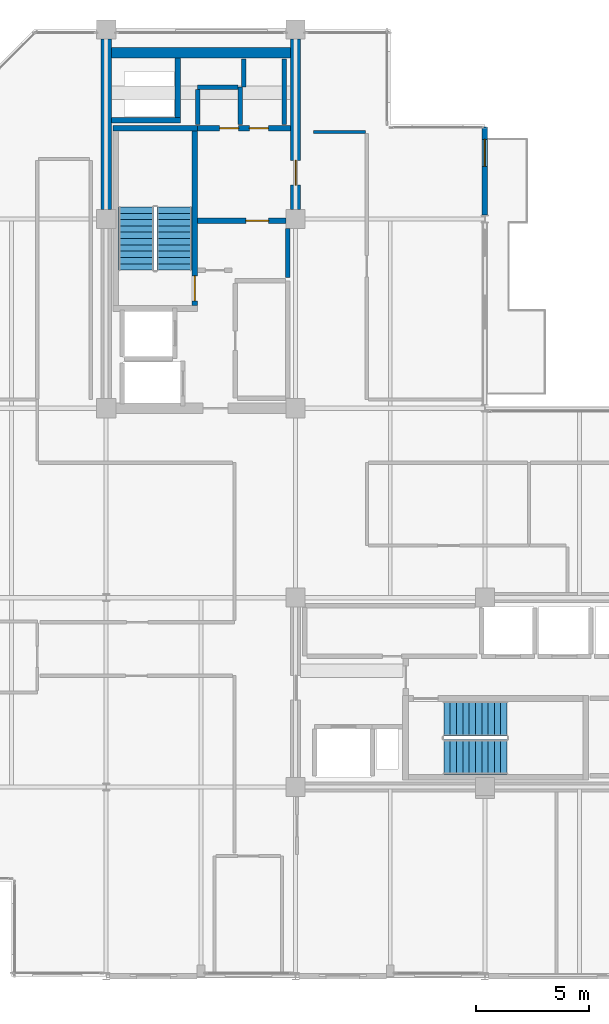
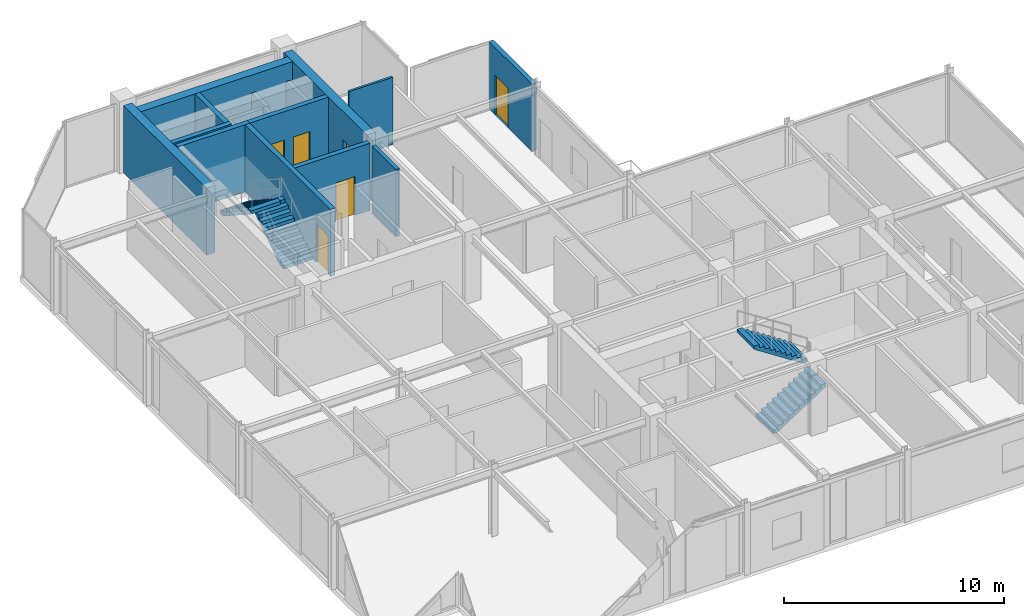
# One storey, part 23 of 26: 17 walls, 6 doors, 4 stair flights, 6 openings, 2 elements without a shape of their own.
"""IFC4 building model written with IfcOpenShell, lengths in metres."""

from ifc_helpers import new_model, si_unit, direction, frame, frame_2d, origin, place, context, subcontext, project, spatial, polyline, rectangle, outline, extrude, material, layer, layer_set, type_object, element, fill, aggregate, save


model = new_model("IFC4")

# Units and contexts
model_context = context("Model", 3, precision=1e-05, world=origin(), true_north=direction((0.0, 1.0)))
body_context = subcontext(model_context, "Body", "Model", "MODEL_VIEW")
ifc_project = project(units=[si_unit("LENGTHUNIT", "METRE"), si_unit("AREAUNIT", "SQUARE_METRE"), si_unit("VOLUMEUNIT", "CUBIC_METRE"), si_unit("PLANEANGLEUNIT", "RADIAN"), si_unit("MASSUNIT", "GRAM", prefix="KILO")], contexts=[model_context])

# Site, building, storey
site_placement = place(None, origin())
site = spatial("IfcSite", under=ifc_project, at=site_placement, CompositionType="ELEMENT")
building_placement = place(site_placement, origin())
building = spatial("IfcBuilding", under=site, at=building_placement, Name="Nerrivon Quay Data Exchange", CompositionType="ELEMENT")
storey_placement = place(building_placement, frame((0.0, 0.0, 270.199951171875)))
storey = spatial("IfcBuildingStorey", under=building, at=storey_placement, Name="L64", CompositionType="ELEMENT", Elevation=270.199951171875)

# Wall, opening, door
ifc_material_1 = material(Name="Architectural terracotta precast concrete N50 (50 MPa)", Category="masonry")
ifc_layer_1 = layer(ifc_material_1, 0.239990234375)
ifc_layer_set_1 = layer_set([ifc_layer_1], Name="Architectural terracotta precast concrete N50 (50 MPa)")
wall_type_1 = type_object("IfcWallType", Name="EW-PREC-240", PredefinedType="STANDARD", material=ifc_layer_set_1)
wall_1_placement = place(storey_placement, frame((25.199951171875, 37.679931640625, 0.0), z_axis=(0.0, 0.0, 1.0), x_axis=(0.0, -1.0, 0.0)))
wall_1 = element("IfcWall", 1, at=wall_1_placement, inside=storey, type_object=wall_type_1, Name="L64 Terrace Host Wall 22", PredefinedType="STANDARD", context=body_context, shape_type="SweptSolid", body=[
    extrude(rectangle(XDim=3.91650390625, YDim=0.239990234375, at=frame_2d((1.958251953125, 0.0))), origin(), (0.0, 0.0, 1.0), 3.72509765625),
])
opening_1_placement = place(wall_1_placement, frame((0.550048828125, 0.0, 0.0)))
opening_1 = element("IfcOpeningElement", 2, at=opening_1_placement, cuts=wall_1, Name="Opening TD1", PredefinedType="OPENING", context=body_context, shape_type="SweptSolid", body=[
    extrude(rectangle(XDim=1.199951171875, YDim=2.199951171875, at=frame_2d((0.60009765625, 1.10009765625))), frame((0.0, 0.1298828125, 0.0), z_axis=(0.0, -1.0, 0.0), x_axis=(1.0, 0.0, 0.0)), (0.0, 0.0, 1.0), 0.260009765625),
])
ifc_material_2 = material(Name="Double-glazed low-E solar control glass", Category="glass")
door_type_1 = type_object("IfcDoorType", Name="DR-TERR-1200x2200", OperationType="NOTDEFINED", PredefinedType="DOOR", material=ifc_material_2)
door_1_placement = place(opening_1_placement, origin())
door_1 = element("IfcDoor", 3, at=door_1_placement, inside=storey, type_object=door_type_1, Name="L64 Outdoor Terrace Access Door 22", OperationType="SINGLE_SWING_LEFT", OverallHeight=2.199951171875, OverallWidth=1.199951171875, PredefinedType="DOOR", context=body_context, shape_type="SweptSolid", body=[
    extrude(rectangle(XDim=1.199951171875, YDim=2.199951171875, at=frame_2d((0.60009765625, 1.10009765625))), frame((0.0, 0.02490234375, 0.0), z_axis=(0.0, -1.0, 0.0), x_axis=(1.0, 0.0, 0.0)), (0.0, 0.0, 1.0), 0.050048828125),
])
fill(opening_1, door_1)

# Walls
ifc_material_3 = material(Name="Concrete N50 (50 MPa)", Category="concrete")
ifc_layer_2 = layer(ifc_material_3, 0.449951171875)
ifc_layer_set_2 = layer_set([ifc_layer_2], Name="Concrete N50 (50 MPa)")
wall_type_2 = type_object("IfcWallType", Name="WALL-CW-550", PredefinedType="SHEAR", material=ifc_layer_set_2)
wall_2_placement = place(storey_placement, frame((8.39990234375, 34.02490234375, 0.0), z_axis=(0.0, 0.0, 1.0), x_axis=(0.0, 1.0, 0.0)))
element("IfcWall", 4, at=wall_2_placement, inside=storey, type_object=wall_type_2, Name="L64 West Split-Core Shear Wall WCW-W2", PredefinedType="SHEAR", context=body_context, shape_type="SweptSolid", body=[
    extrude(rectangle(XDim=7.550048828125, YDim=0.449951171875, at=frame_2d((3.77490234375, 0.0))), origin(), (0.0, 0.0, 1.0), 3.72509765625),
])
wall_3_placement = place(storey_placement, frame((8.625, 40.97509765625, 0.0), z_axis=(0.0, 0.0, 1.0), x_axis=(1.0, 0.0, 0.0)))
element("IfcWall", 5, at=wall_3_placement, inside=storey, type_object=wall_type_2, Name="L64 West Split-Core Shear Wall WCW-N1", PredefinedType="SHEAR", context=body_context, shape_type="SweptSolid", body=[
    extrude(rectangle(XDim=7.949951171875, YDim=0.449951171875, at=frame_2d((3.97509765625, 0.0))), origin(), (0.0, 0.0, 1.0), 3.72509765625),
])

# Wall, opening, door
wall_4_placement = place(storey_placement, frame((16.800048828125, 34.02490234375, 0.0), z_axis=(0.0, 0.0, 1.0), x_axis=(0.0, 1.0, 0.0)))
wall_4 = element("IfcWall", 6, at=wall_4_placement, inside=storey, type_object=wall_type_2, Name="L64 West Split-Core Shear Wall WCW-E1", PredefinedType="SHEAR", context=body_context, shape_type="SweptSolid", body=[
    extrude(rectangle(XDim=7.550048828125, YDim=0.449951171875, at=frame_2d((3.77490234375, 0.0))), origin(), (0.0, 0.0, 1.0), 3.72509765625),
])
opening_2_placement = place(wall_4_placement, frame((1.074951171875, 0.0, 0.0)))
opening_2 = element("IfcOpeningElement", 7, at=opening_2_placement, cuts=wall_4, Name="Opening FD-120", PredefinedType="OPENING", context=body_context, shape_type="SweptSolid", body=[
    extrude(rectangle(XDim=1.10009765625, YDim=2.14990234375, at=frame_2d((0.550048828125, 1.074951171875))), frame((0.0, 0.23486328125, 0.0), z_axis=(0.0, -1.0, 0.0), x_axis=(1.0, 0.0, 0.0)), (0.0, 0.0, 1.0), 0.469970703125),
])
ifc_material_4 = material(Name="Powder-coated galvanized steel sheet", Category="steel")
door_type_2 = type_object("IfcDoorType", Name="DR-FD120-1100", OperationType="NOTDEFINED", PredefinedType="DOOR", material=ifc_material_4)
door_2_placement = place(opening_2_placement, origin())
door_2 = element("IfcDoor", 8, at=door_2_placement, inside=storey, type_object=door_type_2, Name="L64 West Core Lobby Fire Door", OperationType="SINGLE_SWING_LEFT", OverallHeight=2.14990234375, OverallWidth=1.10009765625, PredefinedType="DOOR", context=body_context, shape_type="SweptSolid", body=[
    extrude(rectangle(XDim=1.10009765625, YDim=2.14990234375, at=frame_2d((0.550048828125, 1.074951171875))), frame((0.0, 0.02490234375, 0.0), z_axis=(0.0, -1.0, 0.0), x_axis=(1.0, 0.0, 0.0)), (0.0, 0.0, 1.0), 0.050048828125),
])
fill(opening_2, door_2)

# Walls
ifc_material_5 = material(Name="Gypsum plasterboard on cold-formed framing", Category="gypsum")
ifc_layer_3 = layer(ifc_material_5, 0.199951171875)
ifc_layer_set_3 = layer_set([ifc_layer_3], Name="Gypsum plasterboard on cold-formed framing")
wall_type_3 = type_object("IfcWallType", Name="WALL-FW-200", PredefinedType="PARTITIONING", material=ifc_layer_set_3)
wall_5_placement = place(storey_placement, frame((16.449951171875, 31.0, 0.0), z_axis=(0.0, 0.0, 1.0), x_axis=(0.0, 1.0, 0.0)))
element("IfcWall", 9, at=wall_5_placement, inside=storey, type_object=wall_type_3, Name="L64 Partition Core Equipment Closet", PredefinedType="PARTITIONING", context=body_context, shape_type="SweptSolid", body=[
    extrude(rectangle(XDim=2.169921875, YDim=0.199951171875, at=frame_2d((1.0849609375, 0.0))), origin(), (0.0, 0.0, 1.0), 3.72509765625),
])
wall_6_placement = place(storey_placement, frame((14.35009765625, 37.780029296875, 0.0), z_axis=(0.0, 0.0, 1.0), x_axis=(0.0, 1.0, 0.0)))
element("IfcWall", 10, at=wall_6_placement, inside=storey, type_object=wall_type_3, Name="L64 Partition Equipment Store", PredefinedType="PARTITIONING", context=body_context, shape_type="SweptSolid", body=[
    extrude(rectangle(XDim=1.669921875, YDim=0.199951171875, at=frame_2d((0.8349609375, 0.0))), origin(), (0.0, 0.0, 1.0), 2.775146484375),
])
wall_7_placement = place(storey_placement, frame((14.24609375, 39.449951171875, 0.0), z_axis=(0.0, 0.0, 1.0), x_axis=(-1.0, 0.0, 0.0)))
element("IfcWall", 11, at=wall_7_placement, inside=storey, type_object=wall_type_3, Name="L64 Partition Equipment Store", PredefinedType="PARTITIONING", context=body_context, shape_type="SweptSolid", body=[
    extrude(rectangle(XDim=1.796142578125, YDim=0.199951171875, at=frame_2d((0.89794921875, 0.0))), origin(), (0.0, 0.0, 1.0), 2.775146484375),
])
wall_8_placement = place(storey_placement, frame((12.449951171875, 39.345947265625, 0.0), z_axis=(0.0, 0.0, 1.0), x_axis=(0.0, -1.0, 0.0)))
element("IfcWall", 12, at=wall_8_placement, inside=storey, type_object=wall_type_3, Name="L64 Partition Equipment Store", PredefinedType="PARTITIONING", context=body_context, shape_type="SweptSolid", body=[
    extrude(rectangle(XDim=1.56591796875, YDim=0.199951171875, at=frame_2d((0.782958984375, 0.0))), origin(), (0.0, 0.0, 1.0), 2.775146484375),
])
wall_9_placement = place(storey_placement, frame((16.300048828125, 37.780029296875, 0.0), z_axis=(0.0, 0.0, 1.0), x_axis=(0.0, 1.0, 0.0)))
element("IfcWall", 13, at=wall_9_placement, inside=storey, type_object=wall_type_3, Name="L64 Partition Cleaners Store", PredefinedType="PARTITIONING", context=body_context, shape_type="SweptSolid", body=[
    extrude(rectangle(XDim=2.919921875, YDim=0.199951171875, at=frame_2d((1.4599609375, 0.0))), origin(), (0.0, 0.0, 1.0), 2.775146484375),
])
wall_10_placement = place(storey_placement, frame((14.489990234375, 40.699951171875, 0.0), z_axis=(0.0, 0.0, 1.0), x_axis=(0.0, -1.0, 0.0)))
element("IfcWall", 14, at=wall_10_placement, inside=storey, type_object=wall_type_3, Name="L64 Partition Cleaners Store", PredefinedType="PARTITIONING", context=body_context, shape_type="SweptSolid", body=[
    extrude(rectangle(XDim=1.25, YDim=0.199951171875, at=frame_2d((0.625, 0.0))), origin(), (0.0, 0.0, 1.0), 2.775146484375),
])
ifc_layer_4 = layer(ifc_material_5, 0.1201171875)
ifc_layer_set_4 = layer_set([ifc_layer_4], Name="Gypsum plasterboard on cold-formed framing")
wall_type_4 = type_object("IfcWallType", Name="WALL-PT-120", PredefinedType="PARTITIONING", material=ifc_layer_set_4)
wall_11_placement = place(storey_placement, frame((17.60009765625, 37.4599609375, 0.0), z_axis=(0.0, 0.0, 1.0), x_axis=(1.0, 0.0, 0.0)))
element("IfcWall", 15, at=wall_11_placement, inside=storey, type_object=wall_type_4, Name="L64 Partition Technical Library", PredefinedType="PARTITIONING", context=body_context, shape_type="SweptSolid", body=[
    extrude(rectangle(XDim=2.2998046875, YDim=0.1201171875, at=frame_2d((1.14990234375, 0.0))), origin(), (0.0, 0.0, 1.0), 3.72509765625),
])
ifc_layer_5 = layer(ifc_material_3, 0.25)
ifc_layer_set_5 = layer_set([ifc_layer_5], Name="Concrete N50 (50 MPa)")
wall_type_5 = type_object("IfcWallType", Name="WALL-SW-250", PredefinedType="SHEAR", material=ifc_layer_set_5)
wall_12_placement = place(storey_placement, frame((12.449951171875, 37.625, 0.0), z_axis=(0.0, 0.0, 1.0), x_axis=(-1.0, 0.0, 0.0)))
element("IfcWall", 16, at=wall_12_placement, inside=storey, type_object=wall_type_5, Name="L64 ST01 Structural Stair Core Wall FAR", PredefinedType="SHEAR", context=body_context, shape_type="SweptSolid", body=[
    extrude(rectangle(XDim=3.75, YDim=0.25, at=frame_2d((1.875, 0.0))), origin(), (0.0, 0.0, 1.0), 3.72509765625),
])

# Wall, opening, door
wall_13_placement = place(storey_placement, frame((12.324951171875, 29.75, 0.0), z_axis=(0.0, 0.0, 1.0), x_axis=(0.0, 1.0, 0.0)))
wall_13 = element("IfcWall", 17, at=wall_13_placement, inside=storey, type_object=wall_type_5, Name="L64 ST01 Structural Stair Core Wall LEFT", PredefinedType="SHEAR", context=body_context, shape_type="SweptSolid", body=[
    extrude(rectangle(XDim=7.75, YDim=0.25, at=frame_2d((3.875, 0.0))), origin(), (0.0, 0.0, 1.0), 3.72509765625),
])
opening_3_placement = place(wall_13_placement, frame((0.219970703125, 0.0, 0.0)))
opening_3 = element("IfcOpeningElement", 18, at=opening_3_placement, cuts=wall_13, Name="Opening FD-120", PredefinedType="OPENING", context=body_context, shape_type="SweptSolid", body=[
    extrude(rectangle(XDim=1.10009765625, YDim=2.14990234375, at=frame_2d((0.550048828125, 1.074951171875))), frame((0.0, 0.135009765625, 0.0), z_axis=(0.0, -1.0, 0.0), x_axis=(1.0, 0.0, 0.0)), (0.0, 0.0, 1.0), 0.27001953125),
])
door_3_placement = place(opening_3_placement, origin())
door_3 = element("IfcDoor", 19, at=door_3_placement, inside=storey, type_object=door_type_2, Name="L64 Protected Stair Door ST01", OperationType="SINGLE_SWING_LEFT", OverallHeight=2.14990234375, OverallWidth=1.10009765625, PredefinedType="DOOR", context=body_context, shape_type="SweptSolid", body=[
    extrude(rectangle(XDim=1.10009765625, YDim=2.14990234375, at=frame_2d((0.550048828125, 1.074951171875))), frame((0.0, 0.02490234375, 0.0), z_axis=(0.0, -1.0, 0.0), x_axis=(1.0, 0.0, 0.0)), (0.0, 0.0, 1.0), 0.050048828125),
])
fill(opening_3, door_3)

# Walls
wall_14_placement = place(storey_placement, frame((8.625, 37.97509765625, 0.0), z_axis=(0.0, 0.0, 1.0), x_axis=(1.0, 0.0, 0.0)))
element("IfcWall", 20, at=wall_14_placement, inside=storey, type_object=wall_type_5, Name="L64 West Core MEP Riser Shaft Wall S", PredefinedType="SHEAR", context=body_context, shape_type="SweptSolid", body=[
    extrude(rectangle(XDim=3.074951171875, YDim=0.25, at=frame_2d((1.53759765625, 0.0))), origin(), (0.0, 0.0, 1.0), 3.72509765625),
])
wall_15_placement = place(storey_placement, frame((11.574951171875, 38.10009765625, 0.0), z_axis=(0.0, 0.0, 1.0), x_axis=(0.0, 1.0, 0.0)))
element("IfcWall", 21, at=wall_15_placement, inside=storey, type_object=wall_type_5, Name="L64 West Core MEP Riser Shaft Wall E", PredefinedType="SHEAR", context=body_context, shape_type="SweptSolid", body=[
    extrude(rectangle(XDim=2.64990234375, YDim=0.25, at=frame_2d((1.324951171875, 0.0))), origin(), (0.0, 0.0, 1.0), 3.72509765625),
])

# Wall, opening, door
wall_16_placement = place(storey_placement, frame((12.449951171875, 33.52001953125, 0.0), z_axis=(0.0, 0.0, 1.0), x_axis=(1.0, 0.0, 0.0)))
wall_16 = element("IfcWall", 22, at=wall_16_placement, inside=storey, type_object=wall_type_5, Name="L64 West Lobby Smoke-Stop Wall", PredefinedType="SHEAR", context=body_context, shape_type="SweptSolid", body=[
    extrude(rectangle(XDim=3.925048828125, YDim=0.25, at=frame_2d((1.96240234375, 0.0))), origin(), (0.0, 0.0, 1.0), 3.72509765625),
])
opening_4_placement = place(wall_16_placement, frame((2.14990234375, 0.0, 0.0)))
opening_4 = element("IfcOpeningElement", 23, at=opening_4_placement, cuts=wall_16, Name="Opening FD-60", PredefinedType="OPENING", context=body_context, shape_type="SweptSolid", body=[
    extrude(rectangle(XDim=1.0, YDim=2.14990234375, at=frame_2d((0.5, 1.074951171875))), frame((0.0, 0.135009765625, 0.0), z_axis=(0.0, -1.0, 0.0), x_axis=(1.0, 0.0, 0.0)), (0.0, 0.0, 1.0), 0.27001953125),
])
ifc_material_6 = material(Name="Engineered hardwood timber", Category="wood")
door_type_3 = type_object("IfcDoorType", Name="DR-FD60-1000", OperationType="NOTDEFINED", PredefinedType="DOOR", material=ifc_material_6)
door_4_placement = place(opening_4_placement, origin())
door_4 = element("IfcDoor", 24, at=door_4_placement, inside=storey, type_object=door_type_3, Name="L64 West Firefighting Lobby Fire Door", OperationType="SINGLE_SWING_LEFT", OverallHeight=2.14990234375, OverallWidth=1.0, PredefinedType="DOOR", context=body_context, shape_type="SweptSolid", body=[
    extrude(rectangle(XDim=1.0, YDim=2.14990234375, at=frame_2d((0.5, 1.074951171875))), frame((0.0, 0.02490234375, 0.0), z_axis=(0.0, -1.0, 0.0), x_axis=(1.0, 0.0, 0.0)), (0.0, 0.0, 1.0), 0.050048828125),
])
fill(opening_4, door_4)

# Wall, openings, doors
wall_17_placement = place(storey_placement, frame((12.449951171875, 37.625, 0.0), z_axis=(0.0, 0.0, 1.0), x_axis=(1.0, 0.0, 0.0)))
wall_17 = element("IfcWall", 25, at=wall_17_placement, inside=storey, type_object=wall_type_5, Name="L64 West Firefighting Lobby Wall", PredefinedType="SHEAR", context=body_context, shape_type="SweptSolid", body=[
    extrude(rectangle(XDim=4.125, YDim=0.25, at=frame_2d((2.0625, 0.0))), origin(), (0.0, 0.0, 1.0), 3.72509765625),
])
opening_5_placement = place(wall_17_placement, frame((0.9775390625, 0.0, 0.0)))
opening_5 = element("IfcOpeningElement", 26, at=opening_5_placement, cuts=wall_17, Name="Opening FD-60S", PredefinedType="OPENING", context=body_context, shape_type="SweptSolid", body=[
    extrude(rectangle(XDim=0.85009765625, YDim=2.14990234375, at=frame_2d((0.425048828125, 1.074951171875))), frame((0.0, 0.135009765625, 0.0), z_axis=(0.0, -1.0, 0.0), x_axis=(1.0, 0.0, 0.0)), (0.0, 0.0, 1.0), 0.27001953125),
])
opening_6_placement = place(wall_17_placement, frame((2.297607421875, 0.0, 0.0)))
opening_6 = element("IfcOpeningElement", 27, at=opening_6_placement, cuts=wall_17, Name="Opening FD-60S", PredefinedType="OPENING", context=body_context, shape_type="SweptSolid", body=[
    extrude(rectangle(XDim=0.85009765625, YDim=2.14990234375, at=frame_2d((0.425048828125, 1.074951171875))), frame((0.0, 0.135009765625, 0.0), z_axis=(0.0, -1.0, 0.0), x_axis=(1.0, 0.0, 0.0)), (0.0, 0.0, 1.0), 0.27001953125),
])
door_type_4 = type_object("IfcDoorType", Name="DR-FD60-850", OperationType="NOTDEFINED", PredefinedType="DOOR", material=ifc_material_6)
door_5_placement = place(opening_5_placement, origin())
door_5 = element("IfcDoor", 28, at=door_5_placement, inside=storey, type_object=door_type_4, Name="L64 Door Equipment Store", OperationType="SINGLE_SWING_LEFT", OverallHeight=2.14990234375, OverallWidth=0.85009765625, PredefinedType="DOOR", context=body_context, shape_type="SweptSolid", body=[
    extrude(rectangle(XDim=0.85009765625, YDim=2.14990234375, at=frame_2d((0.425048828125, 1.074951171875))), frame((0.0, 0.02490234375, 0.0), z_axis=(0.0, -1.0, 0.0), x_axis=(1.0, 0.0, 0.0)), (0.0, 0.0, 1.0), 0.050048828125),
])
fill(opening_5, door_5)
door_6_placement = place(opening_6_placement, origin())
door_6 = element("IfcDoor", 29, at=door_6_placement, inside=storey, type_object=door_type_4, Name="L64 Door Cleaners Store", OperationType="SINGLE_SWING_RIGHT", OverallHeight=2.14990234375, OverallWidth=0.85009765625, PredefinedType="DOOR", context=body_context, shape_type="SweptSolid", body=[
    extrude(rectangle(XDim=0.85009765625, YDim=2.14990234375, at=frame_2d((0.425048828125, 1.074951171875))), frame((0.0, 0.02490234375, 0.0), z_axis=(0.0, -1.0, 0.0), x_axis=(1.0, 0.0, 0.0)), (0.0, 0.0, 1.0), 0.050048828125),
])
fill(opening_6, door_6)

# Stair, stair flights
stair_type = type_object("IfcStairType", Name="STAIR-DOG-40", PredefinedType="HALF_TURN_STAIR", material=ifc_material_3)
stair_1_placement = place(storey_placement, origin())
stair_1 = element("IfcStair", 30, at=stair_1_placement, inside=storey, type_object=stair_type, Name="L64 West Core Fire Stair ST01", PredefinedType="HALF_TURN_STAIR")
stair_flight_type = type_object("IfcStairFlightType", Name="FLIGHT-DOG-40", PredefinedType="STRAIGHT", material=ifc_material_3)
stair_flight_1_placement = place(storey_placement, frame((11.425048828125, 31.330078125, 0.0), z_axis=(0.0, 0.0, 1.0), x_axis=(0.0, 1.0, 0.0)))
stair_flight_1 = element("IfcStairFlight", 31, at=stair_flight_1_placement, type_object=stair_flight_type, Name="ST01 flight 1", NumberOfRisers=11, NumberOfTreads=10, PredefinedType="STRAIGHT", RiserHeight=0.181818182, TreadLength=0.28, context=body_context, shape_type="SweptSolid", body=[
    extrude(outline(polyline([(0.0, 0.0), (0.0, 0.181884765625), (0.280029296875, 0.181884765625), (0.280029296875, 0.363525390625), (0.56005859375, 0.363525390625), (0.56005859375, 0.54541015625), (0.840087890625, 0.54541015625), (0.840087890625, 0.727294921875), (1.1201171875, 0.727294921875), (1.1201171875, 0.9091796875), (1.39990234375, 0.9091796875), (1.39990234375, 1.0908203125), (1.679931640625, 1.0908203125), (1.679931640625, 1.272705078125), (1.9599609375, 1.272705078125), (1.9599609375, 1.45458984375), (2.239990234375, 1.45458984375), (2.239990234375, 1.636474609375), (2.52001953125, 1.636474609375), (2.52001953125, 1.818115234375), (2.800048828125, 1.818115234375), (2.800048828125, 2.0), (2.800048828125, 1.639404296875), (0.275146484375, 0.0), (0.0, 0.0)])), frame((0.0, 0.77490234375, 0.0), z_axis=(0.0, -1.0, 0.0), x_axis=(1.0, 0.0, 0.0)), (0.0, 0.0, 1.0), 1.550048828125),
])
stair_flight_2_placement = place(storey_placement, frame((9.72509765625, 34.1298828125, 2.0), z_axis=(0.0, 0.0, 1.0), x_axis=(0.0, -1.0, 0.0)))
stair_flight_2 = element("IfcStairFlight", 32, at=stair_flight_2_placement, type_object=stair_flight_type, Name="ST01 flight 2", NumberOfRisers=11, NumberOfTreads=10, PredefinedType="STRAIGHT", RiserHeight=0.181818182, TreadLength=0.28, context=body_context, shape_type="SweptSolid", body=[
    extrude(outline(polyline([(0.0, 0.0), (0.0, 0.181884765625), (0.280029296875, 0.181884765625), (0.280029296875, 0.363525390625), (0.56005859375, 0.363525390625), (0.56005859375, 0.54541015625), (0.840087890625, 0.54541015625), (0.840087890625, 0.727294921875), (1.1201171875, 0.727294921875), (1.1201171875, 0.9091796875), (1.39990234375, 0.9091796875), (1.39990234375, 1.0908203125), (1.679931640625, 1.0908203125), (1.679931640625, 1.272705078125), (1.9599609375, 1.272705078125), (1.9599609375, 1.45458984375), (2.239990234375, 1.45458984375), (2.239990234375, 1.636474609375), (2.52001953125, 1.636474609375), (2.52001953125, 1.818115234375), (2.800048828125, 1.818115234375), (2.800048828125, 2.0), (2.800048828125, 1.639404296875), (0.275146484375, 0.0), (0.0, 0.0)])), frame((0.0, 0.77490234375, 0.0), z_axis=(0.0, -1.0, 0.0), x_axis=(1.0, 0.0, 0.0)), (0.0, 0.0, 1.0), 1.550048828125),
])
aggregate(stair_1, [stair_flight_1, stair_flight_2])

stair_2_placement = place(storey_placement, origin())
stair_2 = element("IfcStair", 33, at=stair_2_placement, inside=storey, type_object=stair_type, Name="L64 East Core Fire Stair ST02", PredefinedType="HALF_TURN_STAIR")
stair_flight_3_placement = place(storey_placement, frame((23.3798828125, 9.72509765625, 0.0), z_axis=(0.0, 0.0, 1.0), x_axis=(1.0, 0.0, 0.0)))
stair_flight_3 = element("IfcStairFlight", 34, at=stair_flight_3_placement, type_object=stair_flight_type, Name="ST02 flight 1", NumberOfRisers=11, NumberOfTreads=10, PredefinedType="STRAIGHT", RiserHeight=0.181818182, TreadLength=0.28, context=body_context, shape_type="SweptSolid", body=[
    extrude(outline(polyline([(0.0, 0.0), (0.0, 0.181884765625), (0.280029296875, 0.181884765625), (0.280029296875, 0.363525390625), (0.56005859375, 0.363525390625), (0.56005859375, 0.54541015625), (0.840087890625, 0.54541015625), (0.840087890625, 0.727294921875), (1.1201171875, 0.727294921875), (1.1201171875, 0.9091796875), (1.39990234375, 0.9091796875), (1.39990234375, 1.0908203125), (1.679931640625, 1.0908203125), (1.679931640625, 1.272705078125), (1.9599609375, 1.272705078125), (1.9599609375, 1.45458984375), (2.239990234375, 1.45458984375), (2.239990234375, 1.636474609375), (2.52001953125, 1.636474609375), (2.52001953125, 1.818115234375), (2.800048828125, 1.818115234375), (2.800048828125, 2.0), (2.800048828125, 1.639404296875), (0.275146484375, 0.0), (0.0, 0.0)])), frame((0.0, 0.77490234375, 0.0), z_axis=(0.0, -1.0, 0.0), x_axis=(1.0, 0.0, 0.0)), (0.0, 0.0, 1.0), 1.550048828125),
])
stair_flight_4_placement = place(storey_placement, frame((26.179931640625, 11.425048828125, 2.0), z_axis=(0.0, 0.0, 1.0), x_axis=(-1.0, 0.0, 0.0)))
stair_flight_4 = element("IfcStairFlight", 35, at=stair_flight_4_placement, type_object=stair_flight_type, Name="ST02 flight 2", NumberOfRisers=11, NumberOfTreads=10, PredefinedType="STRAIGHT", RiserHeight=0.181818182, TreadLength=0.28, context=body_context, shape_type="SweptSolid", body=[
    extrude(outline(polyline([(0.0, 0.0), (0.0, 0.181884765625), (0.280029296875, 0.181884765625), (0.280029296875, 0.363525390625), (0.56005859375, 0.363525390625), (0.56005859375, 0.54541015625), (0.840087890625, 0.54541015625), (0.840087890625, 0.727294921875), (1.1201171875, 0.727294921875), (1.1201171875, 0.9091796875), (1.39990234375, 0.9091796875), (1.39990234375, 1.0908203125), (1.679931640625, 1.0908203125), (1.679931640625, 1.272705078125), (1.9599609375, 1.272705078125), (1.9599609375, 1.45458984375), (2.239990234375, 1.45458984375), (2.239990234375, 1.636474609375), (2.52001953125, 1.636474609375), (2.52001953125, 1.818115234375), (2.800048828125, 1.818115234375), (2.800048828125, 2.0), (2.800048828125, 1.639404296875), (0.275146484375, 0.0), (0.0, 0.0)])), frame((0.0, 0.77490234375, 0.0), z_axis=(0.0, -1.0, 0.0), x_axis=(1.0, 0.0, 0.0)), (0.0, 0.0, 1.0), 1.550048828125),
])
aggregate(stair_2, [stair_flight_3, stair_flight_4])

save(model, "model.ifc")
